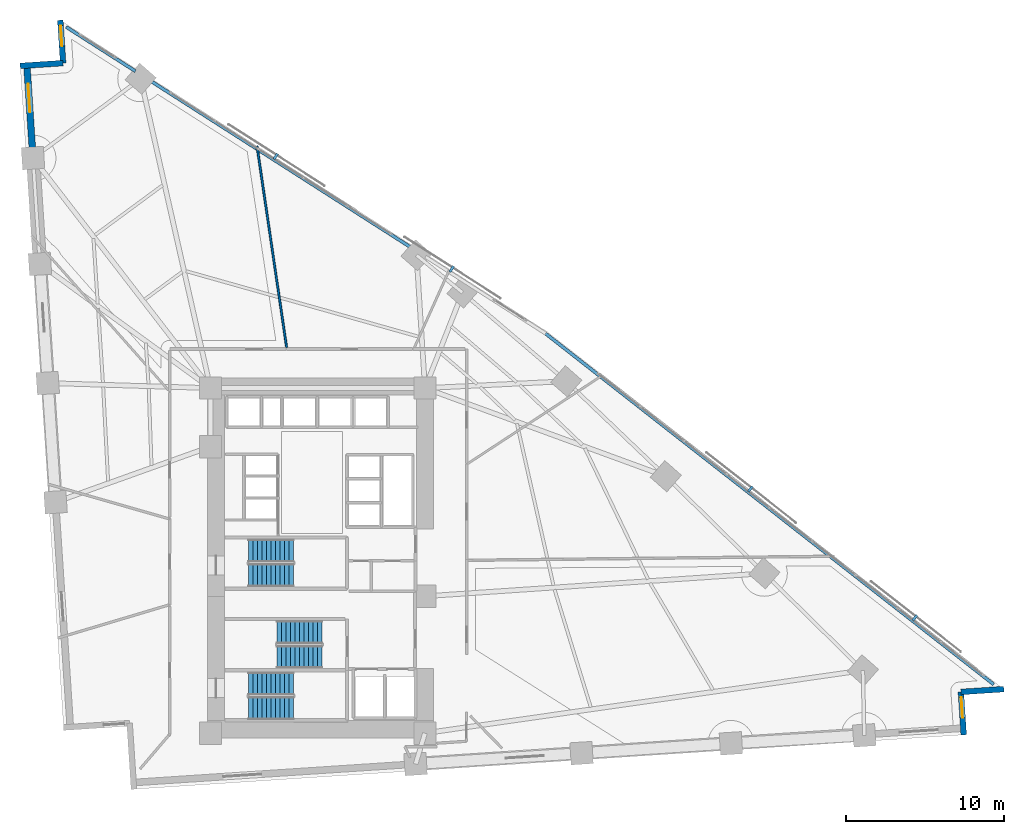
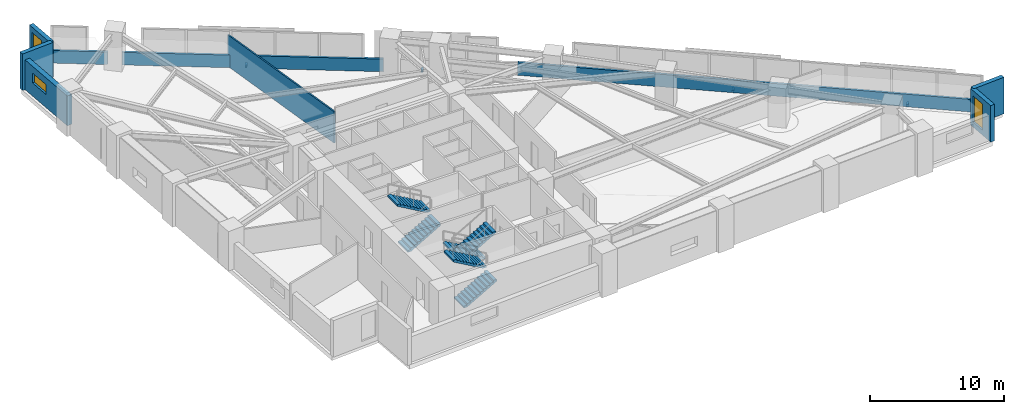
# One storey, part 15 of 17: 9 walls, 6 stair flights, 4 discrete accessories, 3 windows, 3 openings, 3 elements without a shape of their own.
"""IFC4 building model written with IfcOpenShell, lengths in metres."""

from ifc_helpers import new_model, si_unit, direction, frame, frame_2d, origin, origin_2d, place, context, subcontext, project, spatial, polyline, rectangle, outline, extrude, material, layer, layer_set, type_object, element, fill, aggregate, save


model = new_model("IFC4")

# Units and contexts
model_context = context("Model", 3, precision=1e-05, world=origin(), true_north=direction((0.0, 1.0)))
body_context = subcontext(model_context, "Body", "Model", "MODEL_VIEW")
ifc_project = project(units=[si_unit("LENGTHUNIT", "METRE"), si_unit("AREAUNIT", "SQUARE_METRE"), si_unit("VOLUMEUNIT", "CUBIC_METRE"), si_unit("PLANEANGLEUNIT", "RADIAN"), si_unit("MASSUNIT", "GRAM", prefix="KILO")], contexts=[model_context])

# Site, building, storey
site_placement = place(None, origin())
site = spatial("IfcSite", under=ifc_project, at=site_placement, CompositionType="ELEMENT")
building_placement = place(site_placement, origin())
building = spatial("IfcBuilding", under=site, at=building_placement, Name="Narakoshi Arena Tower", CompositionType="ELEMENT")
storey_placement = place(building_placement, frame((0.0, 0.0, 63.300048828125)))
storey = spatial("IfcBuildingStorey", under=building, at=storey_placement, Name="L16", CompositionType="ELEMENT", Elevation=63.300048828125)

# Walls
ifc_material_1 = material(Name="Precast concrete C45/55", Category="concrete")
ifc_layer_1 = layer(ifc_material_1, 0.25)
ifc_layer_set_1 = layer_set([ifc_layer_1], Name="Precast concrete C45/55")
wall_type_1 = type_object("IfcWallType", Name="WL-PARA-250", PredefinedType="PARAPET", material=ifc_layer_set_1)
wall_1_placement = place(storey_placement, frame((121.47607421875, 37.781494140625, 0.0), z_axis=(0.0, 0.0, 1.0), x_axis=(-0.787385636484, 0.61646075257, 0.0)))
element("IfcWall", 1, at=wall_1_placement, inside=storey, type_object=wall_type_1, Name="L16 Hypotenuse Sill Upstand Parapet 1-01", PredefinedType="PARAPET", context=body_context, shape_type="SweptSolid", body=[
    extrude(rectangle(XDim=35.957275390625, YDim=0.199951171875, at=frame_2d((17.978515625, 0.0))), origin(), (0.0, 0.0, 1.0), 1.14990234375),
])
wall_2_placement = place(storey_placement, frame((84.681640625, 65.372314453125, 0.0), z_axis=(0.0, 0.0, 1.0), x_axis=(-0.842418773655, 0.538823356763, 0.0)))
element("IfcWall", 2, at=wall_2_placement, inside=storey, type_object=wall_type_1, Name="L16 Hypotenuse Sill Upstand Parapet 2-02", PredefinedType="PARAPET", context=body_context, shape_type="SweptSolid", body=[
    extrude(rectangle(XDim=19.612060546875, YDim=0.199951171875, at=frame_2d((9.80615234375, 0.0))), origin(), (0.0, 0.0, 1.0), 1.14990234375),
])
wall_3_placement = place(storey_placement, frame((67.2568359375, 76.517578125, 0.0), z_axis=(0.0, 0.0, 1.0), x_axis=(-0.842403631411, 0.538847030042, 0.0)))
element("IfcWall", 3, at=wall_3_placement, inside=storey, type_object=wall_type_1, Name="L16 Hypotenuse Sill Upstand Parapet 2-03", PredefinedType="PARAPET", context=body_context, shape_type="SweptSolid", body=[
    extrude(rectangle(XDim=5.1962890625, YDim=0.199951171875, at=frame_2d((2.59814453125, 0.0))), origin(), (0.0, 0.0, 1.0), 1.14990234375),
])
ifc_material_2 = material(Name="Gypsum plasterboard fire-rated partition")
ifc_layer_2 = layer(ifc_material_2, 0.125)
ifc_layer_set_2 = layer_set([ifc_layer_2], Name="Gypsum plasterboard fire-rated partition")
wall_type_2 = type_object("IfcWallType", Name="WL-PART-125", PredefinedType="PARTITIONING", material=ifc_layer_set_2)
wall_4_placement = place(storey_placement, frame((76.810302734375, 59.06689453125, 0.0), z_axis=(0.0, 0.0, 1.0), x_axis=(-0.145525133375, 0.989354555029, 0.0)))
element("IfcWall", 4, at=wall_4_placement, inside=storey, type_object=wall_type_2, Name="L16 Inter-Room Partition 07-08", PredefinedType="PARTITIONING", context=body_context, shape_type="SweptSolid", body=[
    extrude(rectangle(XDim=12.8642578125, YDim=0.125, at=frame_2d((6.43212890625, 0.0))), origin(), (0.0, 0.0, 1.0), 2.875),
])

# Wall, opening, window
ifc_layer_3 = layer(ifc_material_1, 0.419921875)
ifc_layer_set_3 = layer_set([ifc_layer_3], Name="Precast concrete C45/55")
wall_type_3 = type_object("IfcWallType", Name="WL-POD-420", PredefinedType="SOLIDWALL", material=ifc_layer_set_3)
wall_5_placement = place(storey_placement, frame((60.40185546875, 76.8828125, 0.0), z_axis=(0.0, 0.0, 1.0), x_axis=(0.065402662459, -0.997858953832, 0.0)))
wall_5 = element("IfcWall", 5, at=wall_5_placement, inside=storey, type_object=wall_type_3, Name="L16 Architectural Concrete Facade Wall LEGB-1", PredefinedType="SOLIDWALL", context=body_context, shape_type="SweptSolid", body=[
    extrude(rectangle(XDim=5.8642578125, YDim=0.419921875, at=frame_2d((2.93212890625, 0.0))), origin(), (0.0, 0.0, 1.0), 2.724853515625),
])
opening_1_placement = place(wall_5_placement, frame((1.1708984375, 0.0, 1.199951171875)))
opening_1 = element("IfcOpeningElement", 6, at=opening_1_placement, cuts=wall_5, Name="Opening WN-02", PredefinedType="OPENING", context=body_context, shape_type="SweptSolid", body=[
    extrude(rectangle(XDim=1.800048828125, YDim=0.89990234375, at=frame_2d((0.89990234375, 0.449951171875))), frame((0.0, 0.219970703125, 0.0), z_axis=(0.0, -1.0, 0.0), x_axis=(1.0, 0.0, 0.0)), (0.0, 0.0, 1.0), 0.43994140625),
])
ifc_material_3 = material(Name="Bronze-tinted low-E laminated glass", Category="glass")
window_type_1 = type_object("IfcWindowType", Name="WIN-SLT-18x09", PartitioningType="SINGLE_PANEL", PredefinedType="WINDOW", material=ifc_material_3)
window_1_placement = place(opening_1_placement, origin())
window_1 = element("IfcWindow", 7, at=window_1_placement, inside=storey, type_object=window_type_1, Name="L16 LEGB1 Horizontal Slot Window 1", OverallHeight=0.89990234375, OverallWidth=1.800048828125, PartitioningType="SINGLE_PANEL", PredefinedType="WINDOW", context=body_context, shape_type="SweptSolid", body=[
    extrude(rectangle(XDim=1.800048828125, YDim=0.89990234375, at=frame_2d((0.89990234375, 0.449951171875))), frame((0.0, 0.030029296875, 0.0), z_axis=(0.0, -1.0, 0.0), x_axis=(1.0, 0.0, 0.0)), (0.0, 0.0, 1.0), 0.06005859375),
])
fill(opening_1, window_1)

wall_6_placement = place(storey_placement, frame((119.58447265625, 34.594482421875, 0.0), z_axis=(0.0, 0.0, 1.0), x_axis=(-0.065427374496, 0.997857333824, 0.0)))
wall_6 = element("IfcWall", 8, at=wall_6_placement, inside=storey, type_object=wall_type_3, Name="L16 Re-Entrant Corner Notch Wall NTE-1", PredefinedType="SOLIDWALL", context=body_context, shape_type="SweptSolid", body=[
    extrude(rectangle(XDim=2.716552734375, YDim=0.360107421875, at=frame_2d((1.3583984375, 0.0))), origin(), (0.0, 0.0, 1.0), 3.33984375),
])
opening_2_placement = place(wall_6_placement, frame((1.076416015625, 0.0, 0.449951171875)))
opening_2 = element("IfcOpeningElement", 9, at=opening_2_placement, cuts=wall_6, Name="Opening WN-06", PredefinedType="OPENING", context=body_context, shape_type="SweptSolid", body=[
    extrude(rectangle(XDim=1.300048828125, YDim=2.39990234375, at=frame_2d((0.64990234375, 1.199951171875))), frame((0.0, 0.18994140625, 0.0), z_axis=(0.0, -1.0, 0.0), x_axis=(1.0, 0.0, 0.0)), (0.0, 0.0, 1.0), 0.380126953125),
])
window_type_2 = type_object("IfcWindowType", Name="WIN-NTC-16x24", PartitioningType="SINGLE_PANEL", PredefinedType="WINDOW", material=ifc_material_3)
window_2_placement = place(opening_2_placement, origin())
window_2 = element("IfcWindow", 10, at=window_2_placement, inside=storey, type_object=window_type_2, Name="L16 Corner Notch Window NTE", OverallHeight=2.39990234375, OverallWidth=1.300048828125, PartitioningType="SINGLE_PANEL", PredefinedType="WINDOW", context=body_context, shape_type="SweptSolid", body=[
    extrude(rectangle(XDim=1.300048828125, YDim=2.39990234375, at=frame_2d((0.64990234375, 1.199951171875))), frame((0.0, 0.030029296875, 0.0), z_axis=(0.0, -1.0, 0.0), x_axis=(1.0, 0.0, 0.0)), (0.0, 0.0, 1.0), 0.06005859375),
])
fill(opening_2, window_2)

# Wall
wall_7_placement = place(storey_placement, frame((119.40673828125, 37.30517578125, 0.0), z_axis=(0.0, 0.0, 1.0), x_axis=(0.99785694905, 0.065433242561, 0.0)))
element("IfcWall", 11, at=wall_7_placement, inside=storey, type_object=wall_type_3, Name="L16 Re-Entrant Corner Notch Wall NTE-2", PredefinedType="SOLIDWALL", context=body_context, shape_type="SweptSolid", body=[
    extrude(rectangle(XDim=2.71630859375, YDim=0.360107421875, at=frame_2d((1.358154296875, 0.0))), origin(), (0.0, 0.0, 1.0), 3.33984375),
])

# Wall, opening, window
wall_8_placement = place(storey_placement, frame((62.5107421875, 79.743408203125, 0.0), z_axis=(0.0, 0.0, 1.0), x_axis=(0.065337885661, -0.997863197386, 0.0)))
wall_8 = element("IfcWall", 12, at=wall_8_placement, inside=storey, type_object=wall_type_3, Name="L16 Re-Entrant Corner Notch Wall NTN-1", PredefinedType="SOLIDWALL", context=body_context, shape_type="SweptSolid", body=[
    extrude(rectangle(XDim=2.716552734375, YDim=0.360107421875, at=frame_2d((1.3583984375, 0.0))), origin(), (0.0, 0.0, 1.0), 3.33984375),
])
opening_3_placement = place(wall_8_placement, frame((0.340087890625, 0.0, 0.449951171875)))
opening_3 = element("IfcOpeningElement", 13, at=opening_3_placement, cuts=wall_8, Name="Opening WN-06", PredefinedType="OPENING", context=body_context, shape_type="SweptSolid", body=[
    extrude(rectangle(XDim=1.300048828125, YDim=2.39990234375, at=frame_2d((0.64990234375, 1.199951171875))), frame((0.0, 0.18994140625, 0.0), z_axis=(0.0, -1.0, 0.0), x_axis=(1.0, 0.0, 0.0)), (0.0, 0.0, 1.0), 0.380126953125),
])
window_3_placement = place(opening_3_placement, origin())
window_3 = element("IfcWindow", 14, at=window_3_placement, inside=storey, type_object=window_type_2, Name="L16 Corner Notch Window NTN", OverallHeight=2.39990234375, OverallWidth=1.300048828125, PartitioningType="SINGLE_PANEL", PredefinedType="WINDOW", context=body_context, shape_type="SweptSolid", body=[
    extrude(rectangle(XDim=1.300048828125, YDim=2.39990234375, at=frame_2d((0.64990234375, 1.199951171875))), frame((0.0, 0.030029296875, 0.0), z_axis=(0.0, -1.0, 0.0), x_axis=(1.0, 0.0, 0.0)), (0.0, 0.0, 1.0), 0.06005859375),
])
fill(opening_3, window_3)

# Wall
wall_9_placement = place(storey_placement, frame((62.688232421875, 77.03271484375, 0.0), z_axis=(0.0, 0.0, 1.0), x_axis=(-0.99785694905, -0.065433242561, 0.0)))
element("IfcWall", 15, at=wall_9_placement, inside=storey, type_object=wall_type_3, Name="L16 Re-Entrant Corner Notch Wall NTN-2", PredefinedType="SOLIDWALL", context=body_context, shape_type="SweptSolid", body=[
    extrude(rectangle(XDim=2.71630859375, YDim=0.360107421875, at=frame_2d((1.358154296875, 0.0))), origin(), (0.0, 0.0, 1.0), 3.33984375),
])

# Stair, stair flights
ifc_material_4 = material(Name="Concrete C45/55", Category="concrete")
stair_type = type_object("IfcStairType", Name="STR-CORE-360", PredefinedType="TWO_STRAIGHT_RUN_STAIR", material=ifc_material_4)
stair_1_placement = place(storey_placement, origin())
stair_1 = element("IfcStair", 16, at=stair_1_placement, inside=storey, type_object=stair_type, Name="L16 Core Escape Stair ST1", PredefinedType="TWO_STRAIGHT_RUN_STAIR")
stair_flight_type = type_object("IfcStairFlightType", Name="FLT-145-160", PredefinedType="STRAIGHT", material=ifc_material_1)
stair_flight_1_placement = place(storey_placement, frame((74.39990234375, 36.27490234375, 0.0), z_axis=(0.0, 0.0, 1.0), x_axis=(1.0, 0.0, 0.0)))
stair_flight_1 = element("IfcStairFlight", 17, at=stair_flight_1_placement, type_object=stair_flight_type, Name="ST1 flight 1", NumberOfRisers=11, NumberOfTreads=10, PredefinedType="STRAIGHT", RiserHeight=0.163636364, TreadLength=0.285, context=body_context, shape_type="SweptSolid", body=[
    extrude(outline(polyline([(0.0, 0.0), (0.0, 0.16357421875), (0.284912109375, 0.16357421875), (0.284912109375, 0.327392578125), (0.570068359375, 0.327392578125), (0.570068359375, 0.490966796875), (0.85498046875, 0.490966796875), (0.85498046875, 0.654541015625), (1.139892578125, 0.654541015625), (1.139892578125, 0.818115234375), (1.425048828125, 0.818115234375), (1.425048828125, 0.98193359375), (1.7099609375, 0.98193359375), (1.7099609375, 1.1455078125), (1.9951171875, 1.1455078125), (1.9951171875, 1.30908203125), (2.280029296875, 1.30908203125), (2.280029296875, 1.47265625), (2.56494140625, 1.47265625), (2.56494140625, 1.636474609375), (2.85009765625, 1.636474609375), (2.85009765625, 1.800048828125), (2.85009765625, 1.463623046875), (0.301025390625, 0.0), (0.0, 0.0)])), frame((0.0, 0.72509765625, 0.0), z_axis=(0.0, -1.0, 0.0), x_axis=(1.0, 0.0, 0.0)), (0.0, 0.0, 1.0), 1.449951171875),
])
stair_flight_2_placement = place(storey_placement, frame((77.25, 37.824951171875, 1.800048828125), z_axis=(0.0, 0.0, 1.0), x_axis=(-1.0, 0.0, 0.0)))
stair_flight_2 = element("IfcStairFlight", 18, at=stair_flight_2_placement, type_object=stair_flight_type, Name="ST1 flight 2", NumberOfRisers=11, NumberOfTreads=10, PredefinedType="STRAIGHT", RiserHeight=0.163636364, TreadLength=0.285, context=body_context, shape_type="SweptSolid", body=[
    extrude(outline(polyline([(0.0, 0.0), (0.0, 0.16357421875), (0.284912109375, 0.16357421875), (0.284912109375, 0.327392578125), (0.570068359375, 0.327392578125), (0.570068359375, 0.490966796875), (0.85498046875, 0.490966796875), (0.85498046875, 0.654541015625), (1.139892578125, 0.654541015625), (1.139892578125, 0.818115234375), (1.425048828125, 0.818115234375), (1.425048828125, 0.98193359375), (1.7099609375, 0.98193359375), (1.7099609375, 1.1455078125), (1.9951171875, 1.1455078125), (1.9951171875, 1.30908203125), (2.280029296875, 1.30908203125), (2.280029296875, 1.47265625), (2.56494140625, 1.47265625), (2.56494140625, 1.636474609375), (2.85009765625, 1.636474609375), (2.85009765625, 1.800048828125), (2.85009765625, 1.463623046875), (0.301025390625, 0.0), (0.0, 0.0)])), frame((0.0, 0.72509765625, 0.0), z_axis=(0.0, -1.0, 0.0), x_axis=(1.0, 0.0, 0.0)), (0.0, 0.0, 1.0), 1.449951171875),
])
aggregate(stair_1, [stair_flight_1, stair_flight_2])

stair_2_placement = place(storey_placement, origin())
stair_2 = element("IfcStair", 19, at=stair_2_placement, inside=storey, type_object=stair_type, Name="L16 Core Escape Stair ST2", PredefinedType="TWO_STRAIGHT_RUN_STAIR")
stair_flight_3_placement = place(storey_placement, frame((79.050048828125, 41.074951171875, 0.0), z_axis=(0.0, 0.0, 1.0), x_axis=(-1.0, 0.0, 0.0)))
stair_flight_3 = element("IfcStairFlight", 20, at=stair_flight_3_placement, type_object=stair_flight_type, Name="ST2 flight 1", NumberOfRisers=11, NumberOfTreads=10, PredefinedType="STRAIGHT", RiserHeight=0.163636364, TreadLength=0.285, context=body_context, shape_type="SweptSolid", body=[
    extrude(outline(polyline([(0.0, 0.0), (0.0, 0.16357421875), (0.284912109375, 0.16357421875), (0.284912109375, 0.327392578125), (0.570068359375, 0.327392578125), (0.570068359375, 0.490966796875), (0.85498046875, 0.490966796875), (0.85498046875, 0.654541015625), (1.139892578125, 0.654541015625), (1.139892578125, 0.818115234375), (1.425048828125, 0.818115234375), (1.425048828125, 0.98193359375), (1.7099609375, 0.98193359375), (1.7099609375, 1.1455078125), (1.9951171875, 1.1455078125), (1.9951171875, 1.30908203125), (2.280029296875, 1.30908203125), (2.280029296875, 1.47265625), (2.56494140625, 1.47265625), (2.56494140625, 1.636474609375), (2.85009765625, 1.636474609375), (2.85009765625, 1.800048828125), (2.85009765625, 1.463623046875), (0.301025390625, 0.0), (0.0, 0.0)])), frame((0.0, 0.72509765625, 0.0), z_axis=(0.0, -1.0, 0.0), x_axis=(1.0, 0.0, 0.0)), (0.0, 0.0, 1.0), 1.449951171875),
])
stair_flight_4_placement = place(storey_placement, frame((76.199951171875, 39.52490234375, 1.800048828125), z_axis=(0.0, 0.0, 1.0), x_axis=(1.0, 0.0, 0.0)))
stair_flight_4 = element("IfcStairFlight", 21, at=stair_flight_4_placement, type_object=stair_flight_type, Name="ST2 flight 2", NumberOfRisers=11, NumberOfTreads=10, PredefinedType="STRAIGHT", RiserHeight=0.163636364, TreadLength=0.285, context=body_context, shape_type="SweptSolid", body=[
    extrude(outline(polyline([(0.0, 0.0), (0.0, 0.16357421875), (0.284912109375, 0.16357421875), (0.284912109375, 0.327392578125), (0.570068359375, 0.327392578125), (0.570068359375, 0.490966796875), (0.85498046875, 0.490966796875), (0.85498046875, 0.654541015625), (1.139892578125, 0.654541015625), (1.139892578125, 0.818115234375), (1.425048828125, 0.818115234375), (1.425048828125, 0.98193359375), (1.7099609375, 0.98193359375), (1.7099609375, 1.1455078125), (1.9951171875, 1.1455078125), (1.9951171875, 1.30908203125), (2.280029296875, 1.30908203125), (2.280029296875, 1.47265625), (2.56494140625, 1.47265625), (2.56494140625, 1.636474609375), (2.85009765625, 1.636474609375), (2.85009765625, 1.800048828125), (2.85009765625, 1.463623046875), (0.301025390625, 0.0), (0.0, 0.0)])), frame((0.0, 0.72509765625, 0.0), z_axis=(0.0, -1.0, 0.0), x_axis=(1.0, 0.0, 0.0)), (0.0, 0.0, 1.0), 1.449951171875),
])
aggregate(stair_2, [stair_flight_3, stair_flight_4])

stair_3_placement = place(storey_placement, origin())
stair_3 = element("IfcStair", 22, at=stair_3_placement, inside=storey, type_object=stair_type, Name="L16 Core Escape Stair ST3", PredefinedType="TWO_STRAIGHT_RUN_STAIR")
stair_flight_5_placement = place(storey_placement, frame((74.39990234375, 44.675048828125, 0.0), z_axis=(0.0, 0.0, 1.0), x_axis=(1.0, 0.0, 0.0)))
stair_flight_5 = element("IfcStairFlight", 23, at=stair_flight_5_placement, type_object=stair_flight_type, Name="ST3 flight 1", NumberOfRisers=11, NumberOfTreads=10, PredefinedType="STRAIGHT", RiserHeight=0.163636364, TreadLength=0.285, context=body_context, shape_type="SweptSolid", body=[
    extrude(outline(polyline([(0.0, 0.0), (0.0, 0.16357421875), (0.284912109375, 0.16357421875), (0.284912109375, 0.327392578125), (0.570068359375, 0.327392578125), (0.570068359375, 0.490966796875), (0.85498046875, 0.490966796875), (0.85498046875, 0.654541015625), (1.139892578125, 0.654541015625), (1.139892578125, 0.818115234375), (1.425048828125, 0.818115234375), (1.425048828125, 0.98193359375), (1.7099609375, 0.98193359375), (1.7099609375, 1.1455078125), (1.9951171875, 1.1455078125), (1.9951171875, 1.30908203125), (2.280029296875, 1.30908203125), (2.280029296875, 1.47265625), (2.56494140625, 1.47265625), (2.56494140625, 1.636474609375), (2.85009765625, 1.636474609375), (2.85009765625, 1.800048828125), (2.85009765625, 1.463623046875), (0.301025390625, 0.0), (0.0, 0.0)])), frame((0.0, 0.72509765625, 0.0), z_axis=(0.0, -1.0, 0.0), x_axis=(1.0, 0.0, 0.0)), (0.0, 0.0, 1.0), 1.449951171875),
])
stair_flight_6_placement = place(storey_placement, frame((77.25, 46.22509765625, 1.800048828125), z_axis=(0.0, 0.0, 1.0), x_axis=(-1.0, 0.0, 0.0)))
stair_flight_6 = element("IfcStairFlight", 24, at=stair_flight_6_placement, type_object=stair_flight_type, Name="ST3 flight 2", NumberOfRisers=11, NumberOfTreads=10, PredefinedType="STRAIGHT", RiserHeight=0.163636364, TreadLength=0.285, context=body_context, shape_type="SweptSolid", body=[
    extrude(outline(polyline([(0.0, 0.0), (0.0, 0.16357421875), (0.284912109375, 0.16357421875), (0.284912109375, 0.327392578125), (0.570068359375, 0.327392578125), (0.570068359375, 0.490966796875), (0.85498046875, 0.490966796875), (0.85498046875, 0.654541015625), (1.139892578125, 0.654541015625), (1.139892578125, 0.818115234375), (1.425048828125, 0.818115234375), (1.425048828125, 0.98193359375), (1.7099609375, 0.98193359375), (1.7099609375, 1.1455078125), (1.9951171875, 1.1455078125), (1.9951171875, 1.30908203125), (2.280029296875, 1.30908203125), (2.280029296875, 1.47265625), (2.56494140625, 1.47265625), (2.56494140625, 1.636474609375), (2.85009765625, 1.636474609375), (2.85009765625, 1.800048828125), (2.85009765625, 1.463623046875), (0.301025390625, 0.0), (0.0, 0.0)])), frame((0.0, 0.72509765625, 0.0), z_axis=(0.0, -1.0, 0.0), x_axis=(1.0, 0.0, 0.0)), (0.0, 0.0, 1.0), 1.449951171875),
])
aggregate(stair_3, [stair_flight_5, stair_flight_6])

# Discrete accessories
ifc_material_5 = material(Name="Structural steel S355J2", Category="steel")
discrete_accessory_type = type_object("IfcDiscreteAccessoryType", Name="ACC-BRK-SCR", PredefinedType="BRACKET", material=ifc_material_5)
for number, where, z_axis, x_axis, name in (
    (25, (116.497314453125, 41.984375, -0.080078125), (0.0, 0.0, 1.0), (-0.787387121413, 0.616458855912, 0.0), "L16 Solar Screen Support Bracket SHD-L16-SCR1-1"),
    (26, (106.103759765625, 50.12158203125, -0.080078125), (0.0, 0.0, 1.0), (-0.787387121413, 0.616458855912, 0.0), "L16 Solar Screen Support Bracket SHD-L16-SCR1-2"),
    (27, (87.239990234375, 64.020751953125, -0.080078125), (0.0, 0.0, 1.0), (-0.842414781658, 0.538829597966, 0.0), "L16 Solar Screen Support Bracket SHD-L16-SCR2-1"),
    (28, (76.1201171875, 71.13330078125, -0.080078125), (0.0, 0.0, 1.0), (-0.842414781658, 0.538829597966, 0.0), "L16 Solar Screen Support Bracket SHD-L16-SCR2-2"),
):
    element("IfcDiscreteAccessory", number, at=place(storey_placement, frame(where, z_axis=z_axis, x_axis=x_axis)), inside=storey, type_object=discrete_accessory_type, Name=name, PredefinedType="BRACKET", context=body_context, shape_type="SweptSolid", body=[
        extrude(rectangle(XDim=0.159912109375, YDim=0.425048828125, at=origin_2d()), origin(), (0.0, 0.0, 1.0), 0.199951171875),
    ])

save(model, "model.ifc")
